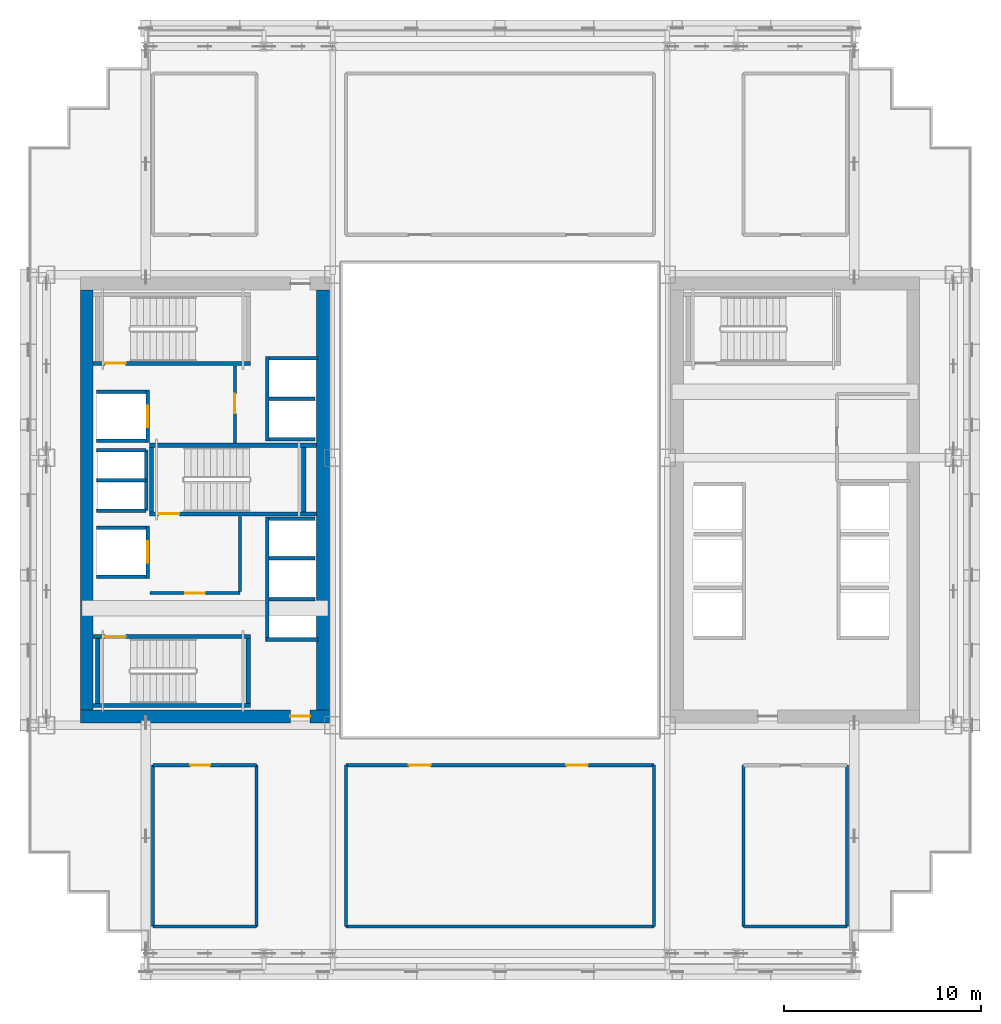
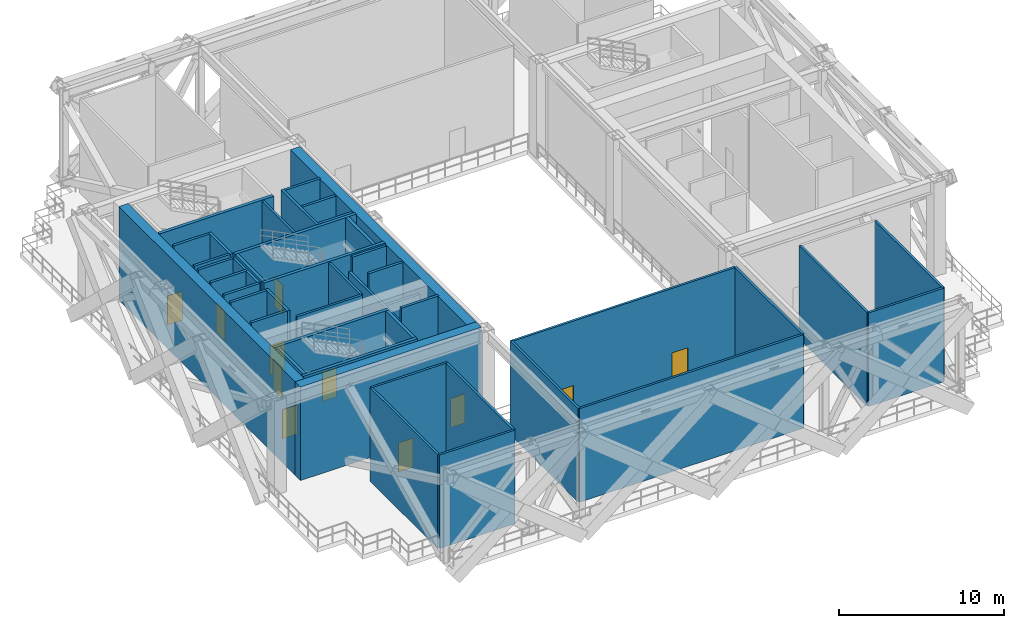
# One storey, part 7 of 14: 45 walls, 11 doors, 11 openings.
"""IFC4 building model written with IfcOpenShell, lengths in metres."""

from ifc_helpers import new_model, si_unit, direction, frame, frame_2d, origin, place, context, subcontext, project, spatial, rectangle, extrude, source, transform, mapped, material, layer, layer_set, type_object, element, fill, save


model = new_model("IFC4")

# Units and contexts
model_context = context("Model", 3, precision=1e-05, world=origin(), true_north=direction((0.0, 1.0)))
body_context = subcontext(model_context, "Body", "Model", "MODEL_VIEW")
ifc_project = project(units=[si_unit("LENGTHUNIT", "METRE"), si_unit("AREAUNIT", "SQUARE_METRE"), si_unit("VOLUMEUNIT", "CUBIC_METRE"), si_unit("PLANEANGLEUNIT", "RADIAN"), si_unit("MASSUNIT", "GRAM", prefix="KILO")], contexts=[model_context])

# Site, building, storey
site_placement = place(None, origin())
site = spatial("IfcSite", under=ifc_project, at=site_placement, CompositionType="ELEMENT")
building_placement = place(site_placement, origin())
building = spatial("IfcBuilding", under=site, at=building_placement, Name="Ocotamira Hotel", CompositionType="ELEMENT")
storey_placement = place(building_placement, frame((0.0, 0.0, 85.199951171875)))
storey = spatial("IfcBuildingStorey", under=building, at=storey_placement, Name="L21", CompositionType="ELEMENT", Elevation=85.199951171875)

# Wall, opening, door
ifc_material_1 = material(Name="Concrete C60/75", Category="concrete")
ifc_layer_1 = layer(ifc_material_1, 0.64990234375)
ifc_layer_set_1 = layer_set([ifc_layer_1], Name="Concrete C60/75")
wall_type_1 = type_object("IfcWallType", Name="WL-CORE-650", PredefinedType="SHEAR", material=ifc_layer_set_1)
wall_1_placement = place(storey_placement, frame((10.675048828125, 15.0, 0.0), z_axis=(0.0, 0.0, 1.0), x_axis=(1.0, 0.0, 0.0)))
wall_1 = element("IfcWall", 1, at=wall_1_placement, inside=storey, type_object=wall_type_1, Name="L21 Shear Core Wall WCORE-S", PredefinedType="SHEAR", context=body_context, shape_type="SweptSolid", body=[
    extrude(rectangle(XDim=12.64990234375, YDim=0.64990234375, at=frame_2d((6.324951171875, 0.0))), origin(), (0.0, 0.0, 1.0), 6.920166015625),
])
opening_1_placement = place(wall_1_placement, frame((10.675048828125, 0.0, 0.0)))
opening_1 = element("IfcOpeningElement", 2, at=opening_1_placement, cuts=wall_1, Name="Opening D-FR2", PredefinedType="OPENING", context=body_context, shape_type="SweptSolid", body=[
    extrude(rectangle(XDim=1.0, YDim=2.14990234375, at=frame_2d((0.5, 1.074951171875))), frame((0.0, 0.3349609375, 0.0), z_axis=(0.0, -1.0, 0.0), x_axis=(1.0, 0.0, 0.0)), (0.0, 0.0, 1.0), 0.669921875),
])
ifc_material_2 = material(Name="Fire-rated acoustic timber-veneer door", Category="wood")
door_type_1 = type_object("IfcDoorType", Name="DR-FIRE-1000", OperationType="NOTDEFINED", PredefinedType="DOOR", material=ifc_material_2)
shared_shape_1 = source(origin(), body_context, "Body", "SweptSolid", [
    extrude(rectangle(XDim=1.0, YDim=2.14990234375, at=frame_2d((0.5, 1.074951171875))), frame((0.0, 0.02490234375, 0.0), z_axis=(0.0, -1.0, 0.0), x_axis=(1.0, 0.0, 0.0)), (0.0, 0.0, 1.0), 0.050048828125),
])
door_1_placement = place(opening_1_placement, origin())
door_1 = element("IfcDoor", 3, at=door_1_placement, inside=storey, type_object=door_type_1, Name="L21 Door ID-L21-WLOB-S-D [ID-L21-WLOB-S-D]", OperationType="SINGLE_SWING_LEFT", OverallHeight=2.14990234375, OverallWidth=1.0, PredefinedType="DOOR", context=body_context, shape_type="MappedRepresentation", body=[
    mapped(shared_shape_1, transform((0.0, 0.0, 0.0), scale=1.0)),
])
fill(opening_1, door_1)

# Walls
for number, where, z_axis, x_axis, name in (
    (4, (11.0, 15.324951171875, 0.0), (0.0, 0.0, 1.0), (0.0, 1.0, 0.0), "L21 Shear Core Wall WCORE-W"),
    (5, (23.0, 15.324951171875, 0.0), (0.0, 0.0, 1.0), (0.0, 1.0, 0.0), "L21 Shear Core Wall WCORE-E"),
):
    element("IfcWall", number, at=place(storey_placement, frame(where, z_axis=z_axis, x_axis=x_axis)), inside=storey, type_object=wall_type_1, Name=name, PredefinedType="SHEAR", context=body_context, shape_type="SweptSolid", body=[
        extrude(rectangle(XDim=21.35009765625, YDim=0.64990234375, at=frame_2d((10.675048828125, 0.0))), origin(), (0.0, 0.0, 1.0), 6.920166015625),
    ])

# Wall, opening, door
ifc_material_3 = material(Name="Acoustic double-layer fire gypsum board partition", Category="gypsum")
ifc_layer_2 = layer(ifc_material_3, 0.159912109375)
ifc_layer_set_2 = layer_set([ifc_layer_2], Name="Acoustic double-layer fire gypsum board partition")
wall_type_2 = type_object("IfcWallType", Name="WL-FIRE-160", PredefinedType="PARTITIONING", material=ifc_layer_set_2)
wall_2_placement = place(storey_placement, frame((14.199951171875, 21.27001953125, 0.0), z_axis=(0.0, 0.0, 1.0), x_axis=(1.0, 0.0, 0.0)))
wall_2 = element("IfcWall", 6, at=wall_2_placement, inside=storey, type_object=wall_type_2, Name="L21 Interior Wall PW-L21-FSAE1-S", PredefinedType="PARTITIONING", context=body_context, shape_type="SweptSolid", body=[
    extrude(rectangle(XDim=4.580078125, YDim=0.159912109375, at=frame_2d((2.2900390625, 0.0))), origin(), (0.0, 0.0, 1.0), 6.920166015625),
])
opening_2_placement = place(wall_2_placement, frame((1.800048828125, 0.0, 0.0)))
opening_2 = element("IfcOpeningElement", 7, at=opening_2_placement, cuts=wall_2, Name="Opening D-FR2", PredefinedType="OPENING", context=body_context, shape_type="SweptSolid", body=[
    extrude(rectangle(XDim=1.0, YDim=2.14990234375, at=frame_2d((0.5, 1.074951171875))), frame((0.0, 0.08984375, 0.0), z_axis=(0.0, -1.0, 0.0), x_axis=(1.0, 0.0, 0.0)), (0.0, 0.0, 1.0), 0.179931640625),
])
door_2_placement = place(opening_2_placement, origin())
door_2 = element("IfcDoor", 8, at=door_2_placement, inside=storey, type_object=door_type_1, Name="L21 Door ID-L21-FSAE1-D [ID-L21-FSAE1-D]", OperationType="SINGLE_SWING_LEFT", OverallHeight=2.14990234375, OverallWidth=1.0, PredefinedType="DOOR", context=body_context, shape_type="MappedRepresentation", body=[
    mapped(shared_shape_1, transform((0.0, 0.0, 0.0), scale=1.0)),
])
fill(opening_2, door_2)

# Wall
wall_3_placement = place(storey_placement, frame((18.780029296875, 21.35009765625, 0.0), z_axis=(0.0, 0.0, 1.0), x_axis=(0.0, 1.0, 0.0)))
element("IfcWall", 9, at=wall_3_placement, inside=storey, type_object=wall_type_2, Name="L21 Interior Wall PW-L21-FSAE1-E", PredefinedType="PARTITIONING", context=body_context, shape_type="SweptSolid", body=[
    extrude(rectangle(XDim=3.809814453125, YDim=0.159912109375, at=frame_2d((1.90478515625, 0.0))), origin(), (0.0, 0.0, 1.0), 6.920166015625),
])

# Wall, opening, door
wall_4_placement = place(storey_placement, frame((18.530029296875, 28.89990234375, 0.0), z_axis=(0.0, 0.0, 1.0), x_axis=(0.0, 1.0, 0.0)))
wall_4 = element("IfcWall", 10, at=wall_4_placement, inside=storey, type_object=wall_type_2, Name="L21 Interior Wall PW-L21-FSAE2-E", PredefinedType="PARTITIONING", context=body_context, shape_type="SweptSolid", body=[
    extrude(rectangle(XDim=3.900146484375, YDim=0.159912109375, at=frame_2d((1.9501953125, 0.0))), origin(), (0.0, 0.0, 1.0), 6.920166015625),
])
opening_3_placement = place(wall_4_placement, frame((1.5, 0.0, 0.0)))
opening_3 = element("IfcOpeningElement", 11, at=opening_3_placement, cuts=wall_4, Name="Opening D-FR2", PredefinedType="OPENING", context=body_context, shape_type="SweptSolid", body=[
    extrude(rectangle(XDim=1.0, YDim=2.14990234375, at=frame_2d((0.5, 1.074951171875))), frame((0.0, 0.08984375, 0.0), z_axis=(0.0, -1.0, 0.0), x_axis=(1.0, 0.0, 0.0)), (0.0, 0.0, 1.0), 0.179931640625),
])
door_3_placement = place(opening_3_placement, origin())
door_3 = element("IfcDoor", 12, at=door_3_placement, inside=storey, type_object=door_type_1, Name="L21 Door ID-L21-FSAE2-D [ID-L21-FSAE2-D]", OperationType="SINGLE_SWING_RIGHT", OverallHeight=2.14990234375, OverallWidth=1.0, PredefinedType="DOOR", context=body_context, shape_type="MappedRepresentation", body=[
    mapped(shared_shape_1, transform((0.0, 0.0, 0.0), scale=1.0)),
])
fill(opening_3, door_3)

# Wall, openings, doors
wall_5_placement = place(storey_placement, frame((24.169921875, 12.52001953125, 0.0), z_axis=(0.0, 0.0, 1.0), x_axis=(1.0, 0.0, 0.0)))
wall_5 = element("IfcWall", 13, at=wall_5_placement, inside=storey, type_object=wall_type_2, Name="L21 Interior Wall PW-L21-L21-REFE-N", PredefinedType="PARTITIONING", context=body_context, shape_type="SweptSolid", body=[
    extrude(rectangle(XDim=15.66015625, YDim=0.159912109375, at=frame_2d((7.830078125, 0.0))), origin(), (0.0, 0.0, 1.0), 6.920166015625),
])
opening_4_placement = place(wall_5_placement, frame((3.199951171875, 0.0, 0.0)))
opening_4 = element("IfcOpeningElement", 14, at=opening_4_placement, cuts=wall_5, Name="Opening D-FR1", PredefinedType="OPENING", context=body_context, shape_type="SweptSolid", body=[
    extrude(rectangle(XDim=1.10009765625, YDim=2.14990234375, at=frame_2d((0.550048828125, 1.074951171875))), frame((0.0, 0.08984375, 0.0), z_axis=(0.0, -1.0, 0.0), x_axis=(1.0, 0.0, 0.0)), (0.0, 0.0, 1.0), 0.179931640625),
])
opening_5_placement = place(wall_5_placement, frame((11.199951171875, 0.0, 0.0)))
opening_5 = element("IfcOpeningElement", 15, at=opening_5_placement, cuts=wall_5, Name="Opening D-FR1", PredefinedType="OPENING", context=body_context, shape_type="SweptSolid", body=[
    extrude(rectangle(XDim=1.10009765625, YDim=2.14990234375, at=frame_2d((0.550048828125, 1.074951171875))), frame((0.0, 0.08984375, 0.0), z_axis=(0.0, -1.0, 0.0), x_axis=(1.0, 0.0, 0.0)), (0.0, 0.0, 1.0), 0.179931640625),
])
door_type_2 = type_object("IfcDoorType", Name="DR-FIRE-1100", OperationType="NOTDEFINED", PredefinedType="DOOR", material=ifc_material_2)
shared_shape_2 = source(origin(), body_context, "Body", "SweptSolid", [
    extrude(rectangle(XDim=1.10009765625, YDim=2.14990234375, at=frame_2d((0.550048828125, 1.074951171875))), frame((0.0, 0.02490234375, 0.0), z_axis=(0.0, -1.0, 0.0), x_axis=(1.0, 0.0, 0.0)), (0.0, 0.0, 1.0), 0.050048828125),
])
door_4_placement = place(opening_4_placement, origin())
door_4 = element("IfcDoor", 16, at=door_4_placement, inside=storey, type_object=door_type_2, Name="L21 Door ID-L21-L21-REFED1 [ID-L21-L21-REFED1]", OperationType="SINGLE_SWING_RIGHT", OverallHeight=2.14990234375, OverallWidth=1.10009765625, PredefinedType="DOOR", context=body_context, shape_type="MappedRepresentation", body=[
    mapped(shared_shape_2, transform((0.0, 0.0, 0.0), scale=1.0)),
])
fill(opening_4, door_4)
door_5_placement = place(opening_5_placement, origin())
door_5 = element("IfcDoor", 17, at=door_5_placement, inside=storey, type_object=door_type_2, Name="L21 Door ID-L21-L21-REFED2 [ID-L21-L21-REFED2]", OperationType="SINGLE_SWING_LEFT", OverallHeight=2.14990234375, OverallWidth=1.10009765625, PredefinedType="DOOR", context=body_context, shape_type="MappedRepresentation", body=[
    mapped(shared_shape_2, transform((0.0, 0.0, 0.0), scale=1.0)),
])
fill(opening_5, door_5)

# Walls
for number, where, z_axis, x_axis, name in (
    (18, (24.169921875, 4.320068359375, 0.0), (0.0, 0.0, 1.0), (0.0, 1.0, 0.0), "L21 Interior Wall PW-L21-L21-REFE-W"),
    (19, (39.830078125, 4.320068359375, 0.0), (0.0, 0.0, 1.0), (0.0, 1.0, 0.0), "L21 Interior Wall PW-L21-L21-REFE-E"),
):
    element("IfcWall", number, at=place(storey_placement, frame(where, z_axis=z_axis, x_axis=x_axis)), inside=storey, type_object=wall_type_2, Name=name, PredefinedType="PARTITIONING", context=body_context, shape_type="SweptSolid", body=[
        extrude(rectangle(XDim=8.199951171875, YDim=0.159912109375, at=frame_2d((4.10009765625, 0.0))), origin(), (0.0, 0.0, 1.0), 6.920166015625),
    ])
wall_6_placement = place(storey_placement, frame((24.169921875, 4.320068359375, 0.0), z_axis=(0.0, 0.0, 1.0), x_axis=(1.0, 0.0, 0.0)))
element("IfcWall", 20, at=wall_6_placement, inside=storey, type_object=wall_type_2, Name="L21 Interior Wall PW-L21-L21-REFE-S", PredefinedType="PARTITIONING", context=body_context, shape_type="SweptSolid", body=[
    extrude(rectangle(XDim=15.66015625, YDim=0.159912109375, at=frame_2d((7.830078125, 0.0))), origin(), (0.0, 0.0, 1.0), 6.920166015625),
])

# Wall, opening, door
wall_7_placement = place(storey_placement, frame((14.3701171875, 12.52001953125, 0.0), z_axis=(0.0, 0.0, 1.0), x_axis=(1.0, 0.0, 0.0)))
wall_7 = element("IfcWall", 21, at=wall_7_placement, inside=storey, type_object=wall_type_2, Name="L21 Interior Wall PW-L21-L21-CHILL-F", PredefinedType="PARTITIONING", context=body_context, shape_type="SweptSolid", body=[
    extrude(rectangle(XDim=5.259765625, YDim=0.159912109375, at=frame_2d((2.6298828125, 0.0))), origin(), (0.0, 0.0, 1.0), 6.920166015625),
])
opening_6_placement = place(wall_7_placement, frame((1.89990234375, 0.0, 0.0)))
opening_6 = element("IfcOpeningElement", 22, at=opening_6_placement, cuts=wall_7, Name="Opening D-FR2", PredefinedType="OPENING", context=body_context, shape_type="SweptSolid", body=[
    extrude(rectangle(XDim=1.0, YDim=2.14990234375, at=frame_2d((0.5, 1.074951171875))), frame((0.0, 0.08984375, 0.0), z_axis=(0.0, -1.0, 0.0), x_axis=(1.0, 0.0, 0.0)), (0.0, 0.0, 1.0), 0.179931640625),
])
door_6_placement = place(opening_6_placement, origin())
door_6 = element("IfcDoor", 23, at=door_6_placement, inside=storey, type_object=door_type_1, Name="L21 Door ID-L21-L21-CHILL-D [ID-L21-L21-CHILL-D]", OperationType="SINGLE_SWING_RIGHT", OverallHeight=2.14990234375, OverallWidth=1.0, PredefinedType="DOOR", context=body_context, shape_type="MappedRepresentation", body=[
    mapped(shared_shape_1, transform((0.0, 0.0, 0.0), scale=1.0)),
])
fill(opening_6, door_6)

# Walls
wall_8_placement = place(storey_placement, frame((14.3701171875, 4.320068359375, 0.0), z_axis=(0.0, 0.0, 1.0), x_axis=(1.0, 0.0, 0.0)))
element("IfcWall", 24, at=wall_8_placement, inside=storey, type_object=wall_type_2, Name="L21 Interior Wall PW-L21-L21-CHILL-B", PredefinedType="PARTITIONING", context=body_context, shape_type="SweptSolid", body=[
    extrude(rectangle(XDim=5.259765625, YDim=0.159912109375, at=frame_2d((2.6298828125, 0.0))), origin(), (0.0, 0.0, 1.0), 6.920166015625),
])
for number, where, z_axis, x_axis, name in (
    (25, (14.3701171875, 4.320068359375, 0.0), (0.0, 0.0, 1.0), (0.0, 1.0, 0.0), "L21 Interior Wall PW-L21-L21-CHILL-W"),
    (26, (19.6298828125, 4.320068359375, 0.0), (0.0, 0.0, 1.0), (0.0, 1.0, 0.0), "L21 Interior Wall PW-L21-L21-CHILL-E"),
):
    element("IfcWall", number, at=place(storey_placement, frame(where, z_axis=z_axis, x_axis=x_axis)), inside=storey, type_object=wall_type_2, Name=name, PredefinedType="PARTITIONING", context=body_context, shape_type="SweptSolid", body=[
        extrude(rectangle(XDim=8.199951171875, YDim=0.159912109375, at=frame_2d((4.10009765625, 0.0))), origin(), (0.0, 0.0, 1.0), 6.920166015625),
    ])
wall_9_placement = place(storey_placement, frame((44.3701171875, 4.320068359375, 0.0), z_axis=(0.0, 0.0, 1.0), x_axis=(1.0, 0.0, 0.0)))
element("IfcWall", 27, at=wall_9_placement, inside=storey, type_object=wall_type_2, Name="L21 Interior Wall PW-L21-L21-AHU-B", PredefinedType="PARTITIONING", context=body_context, shape_type="SweptSolid", body=[
    extrude(rectangle(XDim=5.259765625, YDim=0.159912109375, at=frame_2d((2.6298828125, 0.0))), origin(), (0.0, 0.0, 1.0), 6.920166015625),
])
for number, where, z_axis, x_axis, name in (
    (28, (44.3701171875, 4.320068359375, 0.0), (0.0, 0.0, 1.0), (0.0, 1.0, 0.0), "L21 Interior Wall PW-L21-L21-AHU-W"),
    (29, (49.6298828125, 4.320068359375, 0.0), (0.0, 0.0, 1.0), (0.0, 1.0, 0.0), "L21 Interior Wall PW-L21-L21-AHU-E"),
):
    element("IfcWall", number, at=place(storey_placement, frame(where, z_axis=z_axis, x_axis=x_axis)), inside=storey, type_object=wall_type_2, Name=name, PredefinedType="PARTITIONING", context=body_context, shape_type="SweptSolid", body=[
        extrude(rectangle(XDim=8.199951171875, YDim=0.159912109375, at=frame_2d((4.10009765625, 0.0))), origin(), (0.0, 0.0, 1.0), 6.920166015625),
    ])
ifc_material_4 = material(Name="Fire-rated gypsum shaftliner board assembly", Category="gypsum")
ifc_layer_3 = layer(ifc_material_4, 0.179931640625)
ifc_layer_set_3 = layer_set([ifc_layer_3], Name="Fire-rated gypsum shaftliner board assembly")
wall_type_3 = type_object("IfcWallType", Name="WL-SHAFT-180", PredefinedType="SOLIDWALL", material=ifc_layer_set_3)
wall_10_placement = place(storey_placement, frame((20.159912109375, 18.820068359375, 0.0), z_axis=(0.0, 0.0, 1.0), x_axis=(0.0, 1.0, 0.0)))
element("IfcWall", 30, at=wall_10_placement, inside=storey, type_object=wall_type_3, Name="L21 Interior Wall PW-L21-LFW-BANK-high-F", PredefinedType="SOLIDWALL", context=body_context, shape_type="SweptSolid", body=[
    extrude(rectangle(XDim=6.31982421875, YDim=0.179931640625, at=frame_2d((3.159912109375, 0.0))), origin(), (0.0, 0.0, 1.0), 5.820068359375),
])
wall_11_placement = place(storey_placement, frame((20.1201171875, 18.909912109375, 0.0), z_axis=(0.0, 0.0, 1.0), x_axis=(1.0, 0.0, 0.0)))
element("IfcWall", 31, at=wall_11_placement, inside=storey, type_object=wall_type_3, Name="L21 Interior Wall PW-L21-LFW-BANK-high-S", PredefinedType="SOLIDWALL", context=body_context, shape_type="SweptSolid", body=[
    extrude(rectangle(XDim=2.6298828125, YDim=0.179931640625, at=frame_2d((1.31494140625, 0.0))), origin(), (0.0, 0.0, 1.0), 6.920166015625),
])
wall_12_placement = place(storey_placement, frame((20.25, 25.050048828125, 0.0), z_axis=(0.0, 0.0, 1.0), x_axis=(1.0, 0.0, 0.0)))
element("IfcWall", 32, at=wall_12_placement, inside=storey, type_object=wall_type_3, Name="L21 Interior Wall PW-L21-LFW-BANK-high-N", PredefinedType="SOLIDWALL", context=body_context, shape_type="SweptSolid", body=[
    extrude(rectangle(XDim=2.360107421875, YDim=0.179931640625, at=frame_2d((1.18017578125, 0.0))), origin(), (0.0, 0.0, 1.0), 6.920166015625),
])
wall_13_placement = place(storey_placement, frame((20.25, 20.965087890625, 0.0), z_axis=(0.0, 0.0, 1.0), x_axis=(1.0, 0.0, 0.0)))
element("IfcWall", 33, at=wall_13_placement, inside=storey, type_object=wall_type_3, Name="L21 Interior Wall PW-L21-LFW-DIV-LF-P7", PredefinedType="SOLIDWALL", context=body_context, shape_type="SweptSolid", body=[
    extrude(rectangle(XDim=2.360107421875, YDim=0.179931640625, at=frame_2d((1.18017578125, 0.0))), origin(), (0.0, 0.0, 1.0), 5.820068359375),
])
wall_14_placement = place(storey_placement, frame((20.25, 23.044921875, 0.0), z_axis=(0.0, 0.0, 1.0), x_axis=(1.0, 0.0, 0.0)))
element("IfcWall", 34, at=wall_14_placement, inside=storey, type_object=wall_type_3, Name="L21 Interior Wall PW-L21-LFW-DIV-LF-P8", PredefinedType="SOLIDWALL", context=body_context, shape_type="SweptSolid", body=[
    extrude(rectangle(XDim=2.360107421875, YDim=0.179931640625, at=frame_2d((1.18017578125, 0.0))), origin(), (0.0, 0.0, 1.0), 6.920166015625),
])
wall_15_placement = place(storey_placement, frame((20.159912109375, 29.0, 0.0), z_axis=(0.0, 0.0, 1.0), x_axis=(0.0, 1.0, 0.0)))
element("IfcWall", 35, at=wall_15_placement, inside=storey, type_object=wall_type_3, Name="L21 Interior Wall PW-L21-LFW-BANK-obs-F", PredefinedType="SOLIDWALL", context=body_context, shape_type="SweptSolid", body=[
    extrude(rectangle(XDim=4.2900390625, YDim=0.179931640625, at=frame_2d((2.14501953125, 0.0))), origin(), (0.0, 0.0, 1.0), 6.920166015625),
])
wall_16_placement = place(storey_placement, frame((20.25, 29.090087890625, 0.0), z_axis=(0.0, 0.0, 1.0), x_axis=(1.0, 0.0, 0.0)))
element("IfcWall", 36, at=wall_16_placement, inside=storey, type_object=wall_type_3, Name="L21 Interior Wall PW-L21-LFW-BANK-obs-S", PredefinedType="SOLIDWALL", context=body_context, shape_type="SweptSolid", body=[
    extrude(rectangle(XDim=2.360107421875, YDim=0.179931640625, at=frame_2d((1.18017578125, 0.0))), origin(), (0.0, 0.0, 1.0), 6.920166015625),
])
wall_17_placement = place(storey_placement, frame((20.25, 33.199951171875, 0.0), z_axis=(0.0, 0.0, 1.0), x_axis=(1.0, 0.0, 0.0)))
element("IfcWall", 37, at=wall_17_placement, inside=storey, type_object=wall_type_3, Name="L21 Interior Wall PW-L21-LFW-BANK-obs-N", PredefinedType="SOLIDWALL", context=body_context, shape_type="SweptSolid", body=[
    extrude(rectangle(XDim=2.5, YDim=0.179931640625, at=frame_2d((1.25, 0.0))), origin(), (0.0, 0.0, 1.0), 6.920166015625),
])
wall_18_placement = place(storey_placement, frame((20.25, 31.14501953125, 0.0), z_axis=(0.0, 0.0, 1.0), x_axis=(1.0, 0.0, 0.0)))
element("IfcWall", 38, at=wall_18_placement, inside=storey, type_object=wall_type_3, Name="L21 Interior Wall PW-L21-LFW-DIV-LF-OBS1", PredefinedType="SOLIDWALL", context=body_context, shape_type="SweptSolid", body=[
    extrude(rectangle(XDim=2.360107421875, YDim=0.179931640625, at=frame_2d((1.18017578125, 0.0))), origin(), (0.0, 0.0, 1.0), 6.920166015625),
])
for number, where, z_axis, x_axis, name in (
    (39, (11.5, 22.110107421875, 0.0), (0.0, 0.0, 1.0), (1.0, 0.0, 0.0), "L21 Interior Wall PW-L21-LFW-LF-FSAE1-S"),
    (40, (11.5, 24.590087890625, 0.0), (0.0, 0.0, 1.0), (1.0, 0.0, 0.0), "L21 Interior Wall PW-L21-LFW-LF-FSAE1-N"),
):
    element("IfcWall", number, at=place(storey_placement, frame(where, z_axis=z_axis, x_axis=x_axis)), inside=storey, type_object=wall_type_3, Name=name, PredefinedType="SOLIDWALL", context=body_context, shape_type="SweptSolid", body=[
        extrude(rectangle(XDim=2.5, YDim=0.179931640625, at=frame_2d((1.25, 0.0))), origin(), (0.0, 0.0, 1.0), 6.920166015625),
    ])

# Wall, opening, door
wall_19_placement = place(storey_placement, frame((14.090087890625, 22.02001953125, 0.0), z_axis=(0.0, 0.0, 1.0), x_axis=(0.0, 1.0, 0.0)))
wall_19 = element("IfcWall", 41, at=wall_19_placement, inside=storey, type_object=wall_type_3, Name="L21 Interior Wall PW-L21-LFW-LF-FSAE1-E", PredefinedType="SOLIDWALL", context=body_context, shape_type="SweptSolid", body=[
    extrude(rectangle(XDim=2.659912109375, YDim=0.179931640625, at=frame_2d((1.330078125, 0.0))), origin(), (0.0, 0.0, 1.0), 6.920166015625),
])
opening_7_placement = place(wall_19_placement, frame((0.780029296875, 0.0, 0.0)))
opening_7 = element("IfcOpeningElement", 42, at=opening_7_placement, cuts=wall_19, Name="Opening LD-LF-FSAE1", PredefinedType="OPENING", context=body_context, shape_type="SweptSolid", body=[
    extrude(rectangle(XDim=1.10009765625, YDim=2.199951171875, at=frame_2d((0.550048828125, 1.10009765625))), frame((0.0, 0.10009765625, 0.0), z_axis=(0.0, -1.0, 0.0), x_axis=(1.0, 0.0, 0.0)), (0.0, 0.0, 1.0), 0.199951171875),
])
ifc_material_5 = material(Name="Brushed pale-metal stainless elevator landing door", Category="steel")
door_type_3 = type_object("IfcDoorType", Name="DR-LIFT-1100", OperationType="NOTDEFINED", PredefinedType="DOOR", material=ifc_material_5)
shared_shape_3 = source(origin(), body_context, "Body", "SweptSolid", [
    extrude(rectangle(XDim=1.10009765625, YDim=2.199951171875, at=frame_2d((0.550048828125, 1.10009765625))), frame((0.0, 0.02490234375, 0.0), z_axis=(0.0, -1.0, 0.0), x_axis=(1.0, 0.0, 0.0)), (0.0, 0.0, 1.0), 0.050048828125),
])
door_7_placement = place(opening_7_placement, origin())
door_7 = element("IfcDoor", 43, at=door_7_placement, inside=storey, type_object=door_type_3, Name="L21 Landing Door LD-LF-FSAE1 [ID-L21-LD-LF-FSAE1]", OperationType="DOUBLE_DOOR_SLIDING", OverallHeight=2.199951171875, OverallWidth=1.10009765625, PredefinedType="DOOR", context=body_context, shape_type="MappedRepresentation", body=[
    mapped(shared_shape_3, transform((0.0, 0.0, 0.0), scale=1.0)),
])
fill(opening_7, door_7)

# Walls
for number, where, z_axis, x_axis, name in (
    (44, (11.5, 29.010009765625, 0.0), (0.0, 0.0, 1.0), (1.0, 0.0, 0.0), "L21 Interior Wall PW-L21-LFW-LF-FSAE2-S"),
    (45, (11.5, 31.489990234375, 0.0), (0.0, 0.0, 1.0), (1.0, 0.0, 0.0), "L21 Interior Wall PW-L21-LFW-LF-FSAE2-N"),
):
    element("IfcWall", number, at=place(storey_placement, frame(where, z_axis=z_axis, x_axis=x_axis)), inside=storey, type_object=wall_type_3, Name=name, PredefinedType="SOLIDWALL", context=body_context, shape_type="SweptSolid", body=[
        extrude(rectangle(XDim=2.5, YDim=0.179931640625, at=frame_2d((1.25, 0.0))), origin(), (0.0, 0.0, 1.0), 6.920166015625),
    ])

# Wall, opening, door
wall_20_placement = place(storey_placement, frame((14.090087890625, 28.919921875, 0.0), z_axis=(0.0, 0.0, 1.0), x_axis=(0.0, 1.0, 0.0)))
wall_20 = element("IfcWall", 46, at=wall_20_placement, inside=storey, type_object=wall_type_3, Name="L21 Interior Wall PW-L21-LFW-LF-FSAE2-E", PredefinedType="SOLIDWALL", context=body_context, shape_type="SweptSolid", body=[
    extrude(rectangle(XDim=2.66015625, YDim=0.179931640625, at=frame_2d((1.330078125, 0.0))), origin(), (0.0, 0.0, 1.0), 6.920166015625),
])
opening_8_placement = place(wall_20_placement, frame((0.780029296875, 0.0, 0.0)))
opening_8 = element("IfcOpeningElement", 47, at=opening_8_placement, cuts=wall_20, Name="Opening LD-LF-FSAE2", PredefinedType="OPENING", context=body_context, shape_type="SweptSolid", body=[
    extrude(rectangle(XDim=1.10009765625, YDim=2.199951171875, at=frame_2d((0.550048828125, 1.10009765625))), frame((0.0, 0.10009765625, 0.0), z_axis=(0.0, -1.0, 0.0), x_axis=(1.0, 0.0, 0.0)), (0.0, 0.0, 1.0), 0.199951171875),
])
door_8_placement = place(opening_8_placement, origin())
door_8 = element("IfcDoor", 48, at=door_8_placement, inside=storey, type_object=door_type_3, Name="L21 Landing Door LD-LF-FSAE2 [ID-L21-LD-LF-FSAE2]", OperationType="DOUBLE_DOOR_SLIDING", OverallHeight=2.199951171875, OverallWidth=1.10009765625, PredefinedType="DOOR", context=body_context, shape_type="MappedRepresentation", body=[
    mapped(shared_shape_3, transform((0.0, 0.0, 0.0), scale=1.0)),
])
fill(opening_8, door_8)

# Walls
for number, where, z_axis, x_axis, name in (
    (49, (11.5, 25.4599609375, 0.0), (0.0, 0.0, 1.0), (1.0, 0.0, 0.0), "L21 Interior Wall PW-L21-RSW-S"),
    (50, (11.5, 27.0, 0.0), (0.0, 0.0, 1.0), (1.0, 0.0, 0.0), "L21 Interior Wall PW-L21-RSW-MID"),
    (51, (11.5, 28.5400390625, 0.0), (0.0, 0.0, 1.0), (1.0, 0.0, 0.0), "L21 Interior Wall PW-L21-RSW-N"),
):
    element("IfcWall", number, at=place(storey_placement, frame(where, z_axis=z_axis, x_axis=x_axis)), inside=storey, type_object=wall_type_3, Name=name, PredefinedType="SOLIDWALL", context=body_context, shape_type="SweptSolid", body=[
        extrude(rectangle(XDim=2.510009765625, YDim=0.179931640625, at=frame_2d((1.2548828125, 0.0))), origin(), (0.0, 0.0, 1.0), 6.920166015625),
    ])
wall_21_placement = place(storey_placement, frame((14.010009765625, 25.4599609375, 0.0), z_axis=(0.0, 0.0, 1.0), x_axis=(0.0, 1.0, 0.0)))
element("IfcWall", 52, at=wall_21_placement, inside=storey, type_object=wall_type_3, Name="L21 Interior Wall PW-L21-RSW-E", PredefinedType="SOLIDWALL", context=body_context, shape_type="SweptSolid", body=[
    extrude(rectangle(XDim=3.080078125, YDim=0.179931640625, at=frame_2d((1.5400390625, 0.0))), origin(), (0.0, 0.0, 1.0), 6.920166015625),
])
ifc_material_6 = material(Name="Concrete C50/60", Category="concrete")
ifc_layer_4 = layer(ifc_material_6, 0.219970703125)
ifc_layer_set_4 = layer_set([ifc_layer_4], Name="Concrete C50/60")
wall_type_4 = type_object("IfcWallType", Name="WL-STAIR-220", PredefinedType="SHEAR", material=ifc_layer_set_4)
wall_22_placement = place(storey_placement, frame((11.324951171875, 15.56005859375, 0.0), z_axis=(0.0, 0.0, 1.0), x_axis=(1.0, 0.0, 0.0)))
element("IfcWall", 53, at=wall_22_placement, inside=storey, type_object=wall_type_4, Name="L21 Stair Shaft Structural Wall ST-1-S", PredefinedType="SHEAR", context=body_context, shape_type="SweptSolid", body=[
    extrude(rectangle(XDim=7.985107421875, YDim=0.219970703125, at=frame_2d((3.99267578125, 0.0))), origin(), (0.0, 0.0, 1.0), 7.0),
])

# Wall, opening, door
wall_23_placement = place(storey_placement, frame((11.324951171875, 19.06005859375, 0.0), z_axis=(0.0, 0.0, 1.0), x_axis=(1.0, 0.0, 0.0)))
wall_23 = element("IfcWall", 54, at=wall_23_placement, inside=storey, type_object=wall_type_4, Name="L21 Stair Shaft Structural Wall ST-1-N", PredefinedType="SHEAR", context=body_context, shape_type="SweptSolid", body=[
    extrude(rectangle(XDim=7.985107421875, YDim=0.219970703125, at=frame_2d((3.99267578125, 0.0))), origin(), (0.0, 0.0, 1.0), 7.0),
])
opening_9_placement = place(wall_23_placement, frame((0.594970703125, 0.0, 0.0)))
opening_9 = element("IfcOpeningElement", 55, at=opening_9_placement, cuts=wall_23, Name="Opening D-ST2", PredefinedType="OPENING", context=body_context, shape_type="SweptSolid", body=[
    extrude(rectangle(XDim=1.050048828125, YDim=2.14990234375, at=frame_2d((0.52490234375, 1.074951171875))), frame((0.0, 0.1201171875, 0.0), z_axis=(0.0, -1.0, 0.0), x_axis=(1.0, 0.0, 0.0)), (0.0, 0.0, 1.0), 0.239990234375),
])
ifc_material_7 = material(Name="Insulated painted hollow-metal fire exit door", Category="steel")
door_type_4 = type_object("IfcDoorType", Name="DR-STAIR-1050", OperationType="NOTDEFINED", PredefinedType="DOOR", material=ifc_material_7)
shared_shape_4 = source(origin(), body_context, "Body", "SweptSolid", [
    extrude(rectangle(XDim=1.050048828125, YDim=2.14990234375, at=frame_2d((0.52490234375, 1.074951171875))), frame((0.0, 0.02490234375, 0.0), z_axis=(0.0, -1.0, 0.0), x_axis=(1.0, 0.0, 0.0)), (0.0, 0.0, 1.0), 0.050048828125),
])
door_9_placement = place(opening_9_placement, origin())
door_9 = element("IfcDoor", 56, at=door_9_placement, inside=storey, type_object=door_type_4, Name="L21 Door ID-L21-STD-ST-1 [ID-L21-STD-ST-1]", OperationType="SINGLE_SWING_RIGHT", OverallHeight=2.14990234375, OverallWidth=1.050048828125, PredefinedType="DOOR", context=body_context, shape_type="MappedRepresentation", body=[
    mapped(shared_shape_4, transform((0.0, 0.0, 0.0), scale=1.0)),
])
fill(opening_9, door_9)

# Walls
for number, where, z_axis, x_axis, name in (
    (57, (11.56005859375, 15.669921875, 0.0), (0.0, 0.0, 1.0), (0.0, 1.0, 0.0), "L21 Stair Shaft Structural Wall ST-1-W"),
    (58, (19.199951171875, 15.669921875, 0.0), (0.0, 0.0, 1.0), (0.0, 1.0, 0.0), "L21 Stair Shaft Structural Wall ST-1-E"),
):
    element("IfcWall", number, at=place(storey_placement, frame(where, z_axis=z_axis, x_axis=x_axis)), inside=storey, type_object=wall_type_4, Name=name, PredefinedType="SHEAR", context=body_context, shape_type="SweptSolid", body=[
        extrude(rectangle(XDim=3.280029296875, YDim=0.219970703125, at=frame_2d((1.64013671875, 0.0))), origin(), (0.0, 0.0, 1.0), 7.0),
    ])

# Wall, opening, door
wall_24_placement = place(storey_placement, frame((11.324951171875, 32.93994140625, 0.0), z_axis=(0.0, 0.0, 1.0), x_axis=(1.0, 0.0, 0.0)))
wall_24 = element("IfcWall", 59, at=wall_24_placement, inside=storey, type_object=wall_type_4, Name="L21 Stair Shaft Structural Wall ST-2-S", PredefinedType="SHEAR", context=body_context, shape_type="SweptSolid", body=[
    extrude(rectangle(XDim=7.985107421875, YDim=0.219970703125, at=frame_2d((3.99267578125, 0.0))), origin(), (0.0, 0.0, 1.0), 7.0),
])
opening_10_placement = place(wall_24_placement, frame((0.594970703125, 0.0, 0.0)))
opening_10 = element("IfcOpeningElement", 60, at=opening_10_placement, cuts=wall_24, Name="Opening D-ST2", PredefinedType="OPENING", context=body_context, shape_type="SweptSolid", body=[
    extrude(rectangle(XDim=1.050048828125, YDim=2.14990234375, at=frame_2d((0.52490234375, 1.074951171875))), frame((0.0, 0.1201171875, 0.0), z_axis=(0.0, -1.0, 0.0), x_axis=(1.0, 0.0, 0.0)), (0.0, 0.0, 1.0), 0.239990234375),
])
door_10_placement = place(opening_10_placement, origin())
door_10 = element("IfcDoor", 61, at=door_10_placement, inside=storey, type_object=door_type_4, Name="L21 Door ID-L21-STD-ST-2 [ID-L21-STD-ST-2]", OperationType="SINGLE_SWING_LEFT", OverallHeight=2.14990234375, OverallWidth=1.050048828125, PredefinedType="DOOR", context=body_context, shape_type="MappedRepresentation", body=[
    mapped(shared_shape_4, transform((0.0, 0.0, 0.0), scale=1.0)),
])
fill(opening_10, door_10)

wall_25_placement = place(storey_placement, frame((14.179931640625, 25.2900390625, 0.0), z_axis=(0.0, 0.0, 1.0), x_axis=(1.0, 0.0, 0.0)))
wall_25 = element("IfcWall", 62, at=wall_25_placement, inside=storey, type_object=wall_type_4, Name="L21 Stair Shaft Structural Wall ST-3-S", PredefinedType="SHEAR", context=body_context, shape_type="SweptSolid", body=[
    extrude(rectangle(XDim=8.4951171875, YDim=0.219970703125, at=frame_2d((4.24755859375, 0.0))), origin(), (0.0, 0.0, 1.0), 7.0),
])
opening_11_placement = place(wall_25_placement, frame((0.469970703125, 0.0, 0.0)))
opening_11 = element("IfcOpeningElement", 63, at=opening_11_placement, cuts=wall_25, Name="Opening D-ST2", PredefinedType="OPENING", context=body_context, shape_type="SweptSolid", body=[
    extrude(rectangle(XDim=1.050048828125, YDim=2.14990234375, at=frame_2d((0.52490234375, 1.074951171875))), frame((0.0, 0.1201171875, 0.0), z_axis=(0.0, -1.0, 0.0), x_axis=(1.0, 0.0, 0.0)), (0.0, 0.0, 1.0), 0.239990234375),
])
door_11_placement = place(opening_11_placement, origin())
door_11 = element("IfcDoor", 64, at=door_11_placement, inside=storey, type_object=door_type_4, Name="L21 Door ID-L21-STD-ST-3 [ID-L21-STD-ST-3]", OperationType="SINGLE_SWING_RIGHT", OverallHeight=2.14990234375, OverallWidth=1.050048828125, PredefinedType="DOOR", context=body_context, shape_type="MappedRepresentation", body=[
    mapped(shared_shape_4, transform((0.0, 0.0, 0.0), scale=1.0)),
])
fill(opening_11, door_11)

# Walls
wall_26_placement = place(storey_placement, frame((14.179931640625, 28.7900390625, 0.0), z_axis=(0.0, 0.0, 1.0), x_axis=(1.0, 0.0, 0.0)))
element("IfcWall", 65, at=wall_26_placement, inside=storey, type_object=wall_type_4, Name="L21 Stair Shaft Structural Wall ST-3-N", PredefinedType="SHEAR", context=body_context, shape_type="SweptSolid", body=[
    extrude(rectangle(XDim=8.4951171875, YDim=0.219970703125, at=frame_2d((4.24755859375, 0.0))), origin(), (0.0, 0.0, 1.0), 7.0),
])
for number, where, z_axis, x_axis, name in (
    (66, (14.2900390625, 25.39990234375, 0.0), (0.0, 0.0, 1.0), (0.0, 1.0, 0.0), "L21 Stair Shaft Structural Wall ST-3-W"),
    (67, (22.030029296875, 25.39990234375, 0.0), (0.0, 0.0, 1.0), (0.0, 1.0, 0.0), "L21 Stair Shaft Structural Wall ST-3-E"),
):
    element("IfcWall", number, at=place(storey_placement, frame(where, z_axis=z_axis, x_axis=x_axis)), inside=storey, type_object=wall_type_4, Name=name, PredefinedType="SHEAR", context=body_context, shape_type="SweptSolid", body=[
        extrude(rectangle(XDim=3.280029296875, YDim=0.219970703125, at=frame_2d((1.64013671875, 0.0))), origin(), (0.0, 0.0, 1.0), 7.0),
    ])

save(model, "model.ifc")
